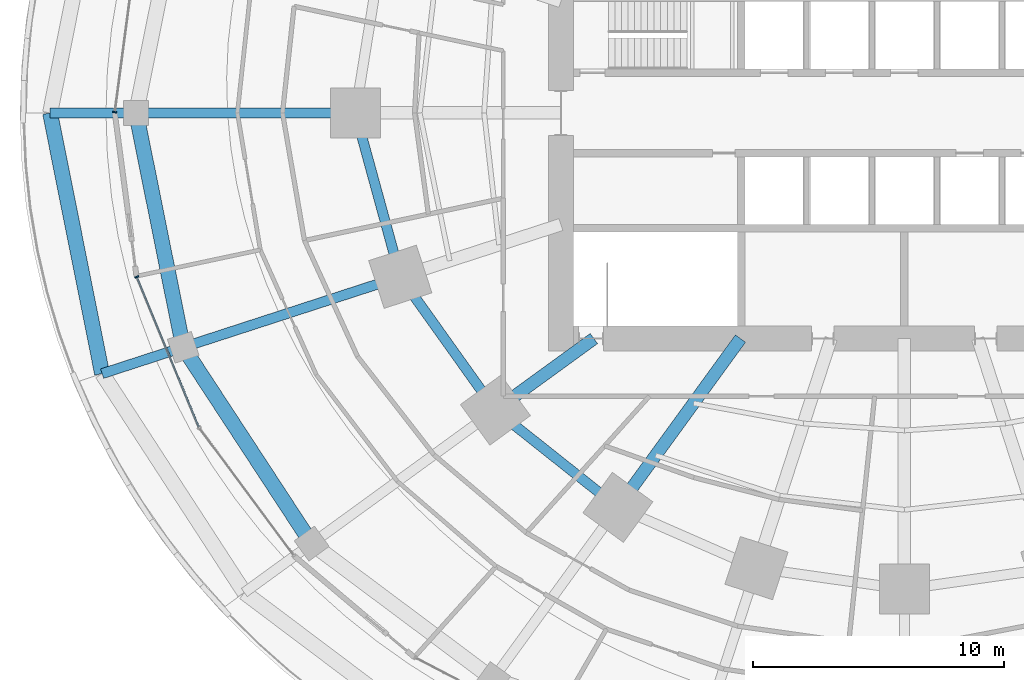
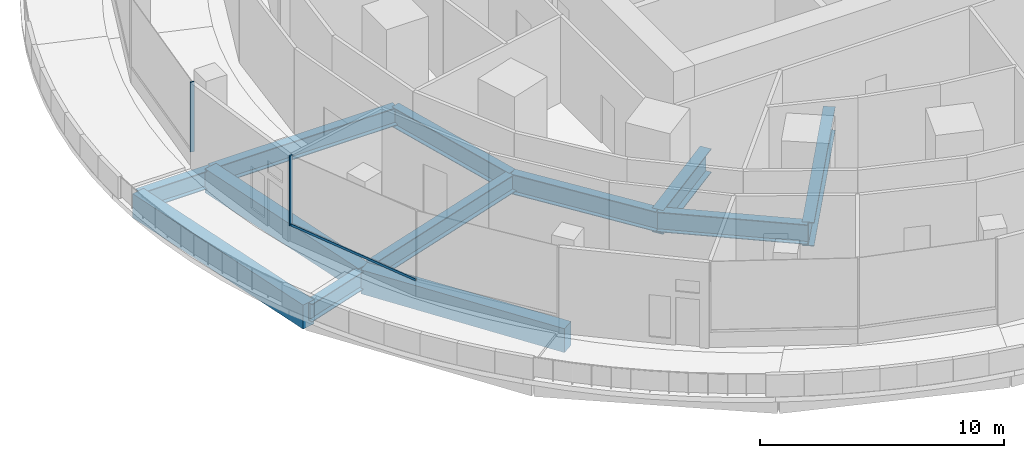
# One storey, part 3 of 26: 12 beams, 3 members, 2 elements without a shape of their own.
"""IFC4 building model written with IfcOpenShell, lengths in metres."""

from ifc_helpers import new_model, si_unit, direction, frame, origin, origin_2d, place, context, subcontext, project, spatial, rectangle, i_section, extrude, material, material_profile, profile_set, type_object, element, aggregate, save


model = new_model("IFC4")

# Units and contexts
model_context = context("Model", 3, precision=1e-05, world=origin(), true_north=direction((0.0, 1.0)))
body_context = subcontext(model_context, "Body", "Model", "MODEL_VIEW")
ifc_project = project(units=[si_unit("LENGTHUNIT", "METRE"), si_unit("AREAUNIT", "SQUARE_METRE"), si_unit("VOLUMEUNIT", "CUBIC_METRE"), si_unit("PLANEANGLEUNIT", "RADIAN"), si_unit("MASSUNIT", "GRAM", prefix="KILO")], contexts=[model_context])

# Site, building, storey
site_placement = place(None, origin())
site = spatial("IfcSite", under=ifc_project, at=site_placement, CompositionType="ELEMENT")
building_placement = place(site_placement, origin())
building = spatial("IfcBuilding", under=site, at=building_placement, Name="Marramba Exchange Tower", CompositionType="ELEMENT")
storey_placement = place(building_placement, frame((0.0, 0.0, 15.10009765625)))
storey = spatial("IfcBuildingStorey", under=building, at=storey_placement, Name="L03", CompositionType="ELEMENT", Elevation=15.10009765625)

# Beams
ifc_material_1 = material(Name="Concrete N50", Category="concrete")
ifc_material_profile_1 = material_profile(ifc_material_1, rectangle(XDim=0.60009765625, YDim=1.199951171875, at=origin_2d()), Name="RC 600x1200")
ifc_profile_set_1 = profile_set([ifc_material_profile_1], Name="Concrete N50")
beam_type_1 = type_object("IfcBeamType", Name="Edge beam RC 600x1200 N50", PredefinedType="SPANDREL", material=ifc_profile_set_1)
beam_1_placement = place(storey_placement, frame((-34.080078125, 0.0, -0.85009765625), z_axis=(0.195673363142, -0.980669126136, 0.0), x_axis=(0.980669126136, 0.195673363142, 0.0)))
element("IfcBeam", 1, at=beam_1_placement, inside=storey, type_object=beam_type_1, Name="Edge beam L03 P2C11", PredefinedType="SPANDREL", context=body_context, shape_type="SweptSolid", body=[
    extrude(rectangle(XDim=0.60009765625, YDim=1.199951171875, at=origin_2d()), origin(), (0.0, 0.0, 1.0), 10.604248046875),
])
beam_2_placement = place(storey_placement, frame((-30.64990234375, 0.0, -0.800048828125), z_axis=(0.197125420847, -0.980378278246, 0.0), x_axis=(0.980378278246, 0.197125420847, 0.0)))
element("IfcBeam", 2, at=beam_2_placement, inside=storey, type_object=beam_type_1, Name="Edge beam L03 P3C11", PredefinedType="SPANDREL", context=body_context, shape_type="SweptSolid", body=[
    extrude(rectangle(XDim=0.60009765625, YDim=1.199951171875, at=origin_2d()), origin(), (0.0, 0.0, 1.0), 9.53515625),
])
beam_3_placement = place(storey_placement, frame((-28.770263671875, -9.34814453125, -0.800048828125), z_axis=(0.547649213564, -0.836708036822, 0.0), x_axis=(0.836708036822, 0.547649213564, 0.0)))
element("IfcBeam", 3, at=beam_3_placement, inside=storey, type_object=beam_type_1, Name="Edge beam L03 P3C12", PredefinedType="SPANDREL", context=body_context, shape_type="SweptSolid", body=[
    extrude(rectangle(XDim=0.60009765625, YDim=1.199951171875, at=origin_2d()), origin(), (0.0, 0.0, 1.0), 9.359130859375),
])

# Curtain wall, member
ifc_material_2 = material(Name="Aluminium framing, bronze anodised", Category="aluminium")
curtain_wall_type = type_object("IfcCurtainWallType", Name="Podium ribbon curtain wall", PredefinedType="USERDEFINED", material=ifc_material_2)
curtain_wall_1_placement = place(storey_placement, origin())
curtain_wall_1 = element("IfcCurtainWall", 4, at=curtain_wall_1_placement, inside=storey, type_object=curtain_wall_type, Name="Curtain wall CW2 L03 F14-F15", ObjectType="RIBBON CURTAIN WALL", PredefinedType="USERDEFINED")
ifc_material_3 = material(Name="Aluminium mullion, bronze anodised", Category="aluminium")
ifc_material_profile_2 = material_profile(ifc_material_3, rectangle(XDim=0.159912109375, YDim=0.06005859375, at=origin_2d()), Name="CW2 mullion 60x160")
ifc_profile_set_2 = profile_set([ifc_material_profile_2], Name="Aluminium mullion, bronze anodised")
member_type_1 = type_object("IfcMemberType", Name="Podium ribbon curtain wall mullion", PredefinedType="MULLION", material=ifc_profile_set_2)
member_1_placement = place(storey_placement, frame((-31.49609375, 0.02978515625, 0.7998046875), z_axis=(0.0, 0.0, 1.0), x_axis=(0.991271077089, -0.131839492292, 0.0)))
member_1 = element("IfcMember", 5, at=member_1_placement, type_object=member_type_1, Name="CW2 mullion 2", PredefinedType="MULLION", context=body_context, shape_type="SweptSolid", body=[
    extrude(rectangle(XDim=0.159912109375, YDim=0.06005859375, at=origin_2d()), origin(), (0.0, 0.0, 1.0), 3.5),
])
aggregate(curtain_wall_1, [member_1])

# Curtain wall, members
curtain_wall_2_placement = place(storey_placement, origin())
curtain_wall_2 = element("IfcCurtainWall", 6, at=curtain_wall_2_placement, inside=storey, type_object=curtain_wall_type, Name="Curtain wall CW2 L03 F17-F18", ObjectType="RIBBON CURTAIN WALL", PredefinedType="USERDEFINED")
member_2_placement = place(storey_placement, frame((-30.62255859375, -6.5390625, 0.7998046875), z_axis=(0.0, 0.0, 1.0), x_axis=(0.924362869624, 0.381514462714, 0.0)))
member_2 = element("IfcMember", 7, at=member_2_placement, type_object=member_type_1, Name="CW2 mullion 1", PredefinedType="MULLION", context=body_context, shape_type="SweptSolid", body=[
    extrude(rectangle(XDim=0.159912109375, YDim=0.06005859375, at=origin_2d()), origin(), (0.0, 0.0, 1.0), 3.5),
])
ifc_material_4 = material(Name="Aluminium transom, bronze anodised", Category="aluminium")
ifc_material_profile_3 = material_profile(ifc_material_4, rectangle(XDim=0.06005859375, YDim=0.1201171875, at=origin_2d()), Name="CW2 transom 60x120")
ifc_profile_set_3 = profile_set([ifc_material_profile_3], Name="Aluminium transom, bronze anodised")
member_type_2 = type_object("IfcMemberType", Name="Podium ribbon curtain wall transom", PredefinedType="USERDEFINED", material=ifc_profile_set_3)
member_3_placement = place(storey_placement, frame((-30.611083984375, -6.56689453125, 0.829833984375), z_axis=(0.381497403281, -0.92436991042, 0.0), x_axis=(0.92436991042, 0.381497403281, 0.0)))
member_3 = element("IfcMember", 8, at=member_3_placement, type_object=member_type_2, Name="CW2 sill transom", ObjectType="TRANSOM", PredefinedType="USERDEFINED", context=body_context, shape_type="SweptSolid", body=[
    extrude(rectangle(XDim=0.06005859375, YDim=0.1201171875, at=origin_2d()), origin(), (0.0, 0.0, 1.0), 6.453857421875),
])
aggregate(curtain_wall_2, [member_2, member_3])

# Beams
ifc_material_5 = material(Name="Steel AS/NZS 3679.2 grade 300", Category="steel")
ifc_material_profile_4 = material_profile(ifc_material_5, i_section(OverallWidth=0.5, OverallDepth=1.199951171875, WebThickness=0.01611328125, FlangeThickness=0.0400390625, at=origin_2d()), Name="1200WB455")
ifc_profile_set_4 = profile_set([ifc_material_profile_4], Name="Steel AS/NZS 3679.2 grade 300")
beam_type_2 = type_object("IfcBeamType", Name="Radial girder 1200WB455", PredefinedType="BEAM", material=ifc_profile_set_4)
beam_4_placement = place(storey_placement, frame((-12.387451171875, -9.0, -0.800048828125), z_axis=(-0.809025189606, -0.58777397236, 0.0), x_axis=(0.58777397236, -0.809025189606, 0.0)))
element("IfcBeam", 9, at=beam_4_placement, inside=storey, type_object=beam_type_2, Name="Radial girder L03 TC13", PredefinedType="BEAM", context=body_context, shape_type="SweptSolid", body=[
    extrude(i_section(OverallWidth=0.5, OverallDepth=1.199951171875, WebThickness=0.01611328125, FlangeThickness=0.0400390625, at=origin_2d()), origin(), (0.0, 0.0, 1.0), 4.855224609375),
])
beam_5_placement = place(storey_placement, frame((-6.538818359375, -9.0, -0.800048828125), z_axis=(-0.587787877172, -0.809015087282, 0.0), x_axis=(0.809015087282, -0.587787877172, 0.0)))
element("IfcBeam", 10, at=beam_5_placement, inside=storey, type_object=beam_type_2, Name="Radial girder L03 TC14", PredefinedType="BEAM", context=body_context, shape_type="SweptSolid", body=[
    extrude(i_section(OverallWidth=0.5, OverallDepth=1.199951171875, WebThickness=0.01611328125, FlangeThickness=0.0400390625, at=origin_2d()), origin(), (0.0, 0.0, 1.0), 8.322021484375),
])
ifc_material_profile_5 = material_profile(ifc_material_5, i_section(OverallWidth=0.39990234375, OverallDepth=0.89990234375, WebThickness=0.01611328125, FlangeThickness=0.031982421875, at=origin_2d()), Name="900WB282")
ifc_profile_set_5 = profile_set([ifc_material_profile_5], Name="Steel AS/NZS 3679.2 grade 300")
beam_type_3 = type_object("IfcBeamType", Name="Radial girder 900WB282", PredefinedType="BEAM", material=ifc_profile_set_5)
beam_6_placement = place(storey_placement, frame((-34.080078125, 0.0, -0.7001953125), z_axis=(1.0, 0.0, 0.0), x_axis=(0.0, 1.0, 0.0)))
element("IfcBeam", 11, at=beam_6_placement, inside=storey, type_object=beam_type_3, Name="Radial girder L03 P2C11", PredefinedType="BEAM", context=body_context, shape_type="SweptSolid", body=[
    extrude(i_section(OverallWidth=0.39990234375, OverallDepth=0.89990234375, WebThickness=0.01611328125, FlangeThickness=0.031982421875, at=origin_2d()), origin(), (0.0, 0.0, 1.0), 3.43017578125),
])
beam_7_placement = place(storey_placement, frame((-32.005126953125, -10.399169921875, -0.7001953125), z_axis=(0.951060439376, 0.309004920114, 0.0), x_axis=(-0.309004920114, 0.951060439376, 0.0)))
element("IfcBeam", 12, at=beam_7_placement, inside=storey, type_object=beam_type_3, Name="Radial girder L03 P2C12", PredefinedType="BEAM", context=body_context, shape_type="SweptSolid", body=[
    extrude(i_section(OverallWidth=0.39990234375, OverallDepth=0.89990234375, WebThickness=0.01611328125, FlangeThickness=0.031982421875, at=origin_2d()), origin(), (0.0, 0.0, 1.0), 3.4013671875),
])
beam_8_placement = place(storey_placement, frame((-30.64990234375, 0.0, -0.650146484375), z_axis=(1.0, 0.0, 0.0), x_axis=(0.0, 1.0, 0.0)))
element("IfcBeam", 13, at=beam_8_placement, inside=storey, type_object=beam_type_3, Name="Radial girder L03 P3C11", PredefinedType="BEAM", context=body_context, shape_type="SweptSolid", body=[
    extrude(i_section(OverallWidth=0.39990234375, OverallDepth=0.89990234375, WebThickness=0.01611328125, FlangeThickness=0.031982421875, at=origin_2d()), origin(), (0.0, 0.0, 1.0), 8.75),
])
beam_9_placement = place(storey_placement, frame((-28.770263671875, -9.34814453125, -0.650146484375), z_axis=(0.951052783345, 0.309028482977, 0.0), x_axis=(-0.309028482977, 0.951052783345, 0.0)))
element("IfcBeam", 14, at=beam_9_placement, inside=storey, type_object=beam_type_3, Name="Radial girder L03 P3C12", PredefinedType="BEAM", context=body_context, shape_type="SweptSolid", body=[
    extrude(i_section(OverallWidth=0.39990234375, OverallDepth=0.89990234375, WebThickness=0.01611328125, FlangeThickness=0.031982421875, at=origin_2d()), origin(), (0.0, 0.0, 1.0), 9.106689453125),
])
ifc_material_profile_6 = material_profile(ifc_material_5, i_section(OverallWidth=0.39990234375, OverallDepth=1.0, WebThickness=0.01611328125, FlangeThickness=0.031982421875, at=origin_2d()), Name="1000WB322")
ifc_profile_set_6 = profile_set([ifc_material_profile_6], Name="Steel AS/NZS 3679.2 grade 300")
beam_type_4 = type_object("IfcBeamType", Name="Ring beam 1000WB322", PredefinedType="SPANDREL", material=ifc_profile_set_6)
beam_10_placement = place(storey_placement, frame((-21.89990234375, 0.0, -0.7001953125), z_axis=(0.264291166956, -0.964442937176, 0.0), x_axis=(0.964442937176, 0.264291166956, 0.0)))
element("IfcBeam", 15, at=beam_10_placement, inside=storey, type_object=beam_type_4, Name="Ring beam L03 TC11-TC12", PredefinedType="SPANDREL", context=body_context, shape_type="SweptSolid", body=[
    extrude(i_section(OverallWidth=0.39990234375, OverallDepth=1.0, WebThickness=0.01611328125, FlangeThickness=0.031982421875, at=origin_2d()), origin(), (0.0, 0.0, 1.0), 6.77490234375),
])
beam_11_placement = place(storey_placement, frame((-20.109375, -6.533935546875, -0.7001953125), z_axis=(0.580637181111, -0.814162430914, 0.0), x_axis=(0.814162430914, 0.580637181111, 0.0)))
element("IfcBeam", 16, at=beam_11_placement, inside=storey, type_object=beam_type_4, Name="Ring beam L03 TC12-TC13", PredefinedType="SPANDREL", context=body_context, shape_type="SweptSolid", body=[
    extrude(i_section(OverallWidth=0.39990234375, OverallDepth=1.0, WebThickness=0.01611328125, FlangeThickness=0.031982421875, at=origin_2d()), origin(), (0.0, 0.0, 1.0), 6.5341796875),
])
beam_12_placement = place(storey_placement, frame((-16.3154296875, -11.853759765625, -0.7001953125), z_axis=(0.783139438128, -0.621846138887, 0.0), x_axis=(0.621846138887, 0.783139438128, 0.0)))
element("IfcBeam", 17, at=beam_12_placement, inside=storey, type_object=beam_type_4, Name="Ring beam L03 TC13-TC14", PredefinedType="SPANDREL", context=body_context, shape_type="SweptSolid", body=[
    extrude(i_section(OverallWidth=0.39990234375, OverallDepth=1.0, WebThickness=0.01611328125, FlangeThickness=0.031982421875, at=origin_2d()), origin(), (0.0, 0.0, 1.0), 6.23779296875),
])

save(model, "model.ifc")
